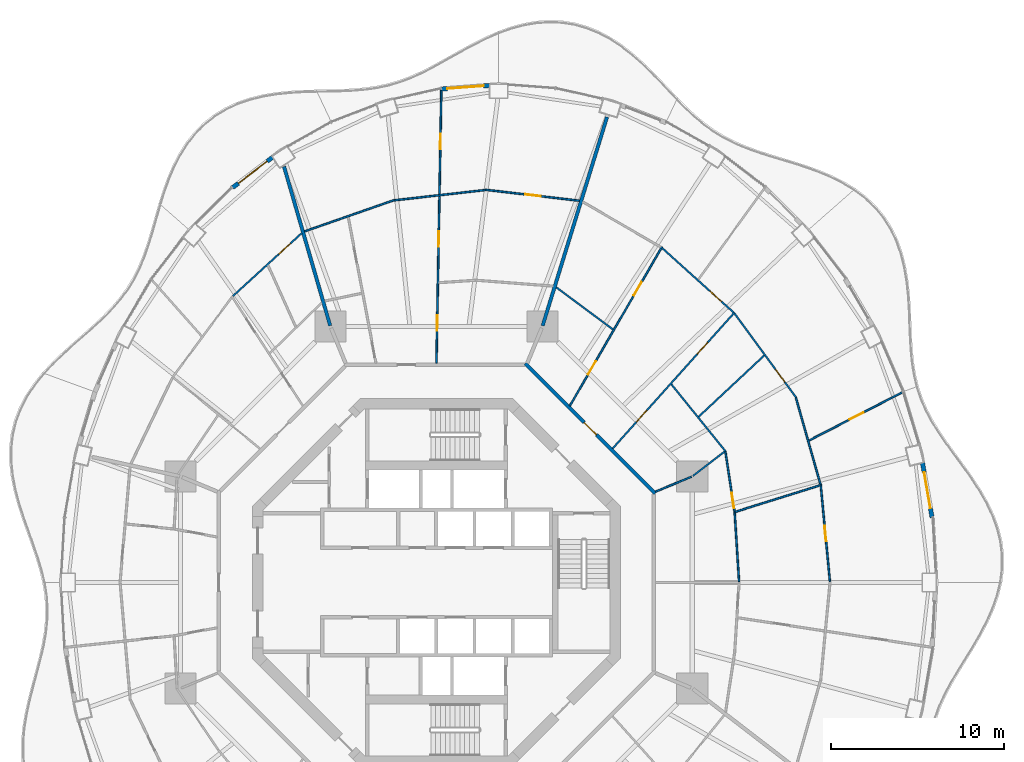
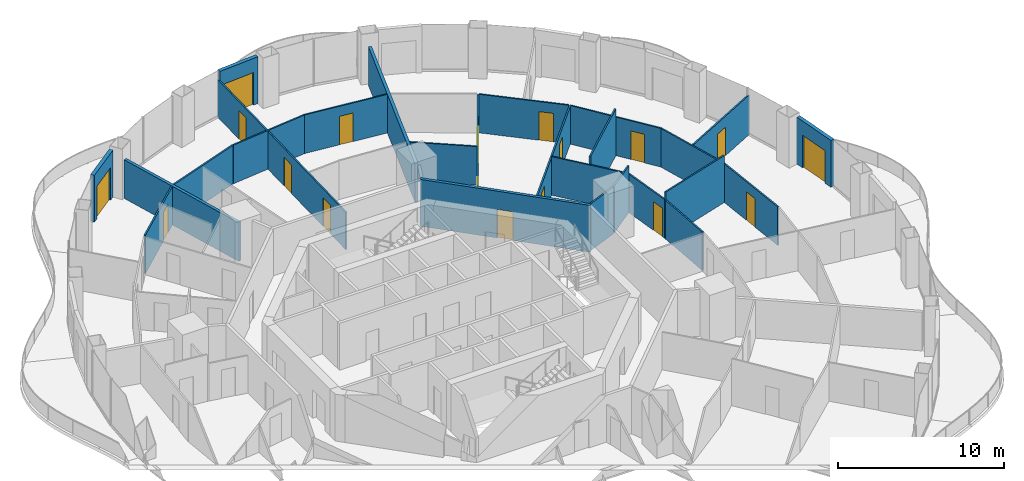
# One storey, part 15 of 19: 26 walls, 18 doors, 18 openings.
"""IFC4 building model written with IfcOpenShell, lengths in metres."""

import ifcopenshell
import ifcopenshell.guid

model = None  # the IFC model being written
_history = None  # IfcOwnerHistory: only IFC2X3 demands one
_inside = {}  # id of a spatial element -> (the spatial element, [elements in it])
_under = {}  # id of a project, library or spatial element -> (it, [spatial elements below it])
_declared = {}  # id of a project -> (the project, [libraries it declares])
_typed = {}  # id of a type object -> (the type object, [elements of that type])
_made_of = {}  # id of a material, layer set ... -> (it, [elements and type objects made of it])


def new_model(schema):
    """Start an empty IFC model of exactly this schema.

    Asked for "IFC4X3", IfcOpenShell would pick the latest addendum, in which some entities
    have other attributes; the version numbers below select the first issue.
    IFC2X3 requires an IfcOwnerHistory on every rooted entity: one is made here for all.
    """
    global model, _history
    if schema == "IFC4X3":
        model = ifcopenshell.file(schema_version=(4, 3, 0, 0))
    else:
        model = ifcopenshell.file(schema=schema)
    _inside.clear()
    _under.clear()
    _declared.clear()
    _typed.clear()
    _made_of.clear()
    _history = None
    if model.schema == "IFC2X3":
        org = make("IfcOrganization", Name="unknown")
        user = make(
            "IfcPersonAndOrganization",
            ThePerson=make("IfcPerson", FamilyName="unknown"),
            TheOrganization=org,
        )
        app = make(
            "IfcApplication",
            ApplicationDeveloper=org,
            Version="unknown",
            ApplicationFullName="unknown",
            ApplicationIdentifier="unknown",
        )
        _history = make(
            "IfcOwnerHistory",
            OwningUser=user,
            OwningApplication=app,
            ChangeAction="ADDED",
            CreationDate=0,
        )
    return model


def make(cls, **values):
    """One entity of the class cls with the attributes given. An attribute that is None is left unset."""
    return model.create_entity(
        cls, **{name: value for name, value in values.items() if value is not None}
    )


def rooted(cls, **values):
    """An entity with a GlobalId (a new one), such as an element, a storey or a relation."""
    return make(cls, GlobalId=ifcopenshell.guid.new(), OwnerHistory=_history, **values)


def si_unit(unit_type, name, prefix=None):
    """IfcSIUnit, for example si_unit("LENGTHUNIT", "METRE", prefix="MILLI")."""
    return make("IfcSIUnit", UnitType=unit_type, Prefix=prefix, Name=name)


def assignment(units):
    """IfcUnitAssignment: the units of a project."""
    return None if units is None else make("IfcUnitAssignment", Units=units)


def point(xyz):
    """IfcCartesianPoint."""
    return None if xyz is None else make("IfcCartesianPoint", Coordinates=xyz)


def direction(xyz):
    """IfcDirection."""
    return None if xyz is None else make("IfcDirection", DirectionRatios=xyz)


def frame(location, z_axis=None, x_axis=None):
    """IfcAxis2Placement3D, a coordinate frame: its origin and axes. An axis left out is left unset."""
    return make(
        "IfcAxis2Placement3D",
        Location=point(location),
        Axis=direction(z_axis),
        RefDirection=direction(x_axis),
    )


def frame_2d(location, x_axis=None):
    """IfcAxis2Placement2D, a coordinate frame in the plane: its origin and x axis."""
    return make(
        "IfcAxis2Placement2D", Location=point(location), RefDirection=direction(x_axis)
    )


def origin():
    """The frame at (0, 0, 0) with its axes left unset."""
    return frame((0.0, 0.0, 0.0))


def place(relative_to, where):
    """IfcLocalPlacement: puts the frame where relative to a parent placement (None: the world)."""
    return make(
        "IfcLocalPlacement", PlacementRelTo=relative_to, RelativePlacement=where
    )


def context(
    kind, dimensions, precision=None, world=None, true_north=None, identifier=None
):
    """IfcGeometricRepresentationContext, for example the 3D "Model" context."""
    return make(
        "IfcGeometricRepresentationContext",
        ContextIdentifier=identifier,
        ContextType=kind,
        CoordinateSpaceDimension=dimensions,
        Precision=precision,
        WorldCoordinateSystem=world,
        TrueNorth=true_north,
    )


def subcontext(parent, identifier, kind, view, scale=None):
    """IfcGeometricRepresentationSubContext, for example "Body" below "Model"."""
    return make(
        "IfcGeometricRepresentationSubContext",
        ContextIdentifier=identifier,
        ContextType=kind,
        ParentContext=parent,
        TargetScale=scale,
        TargetView=view,
    )


def project(units=None, contexts=None):
    """IfcProject with its units and contexts."""
    return rooted(
        "IfcProject",
        Name="project",
        RepresentationContexts=contexts,
        UnitsInContext=assignment(units),
    )


def spatial(cls, under=None, at=None, **own):
    """A site, building, storey or space (cls), placed at a placement, below another one or the project."""
    s = rooted(cls, ObjectPlacement=at, **own)
    if under is not None:
        _under.setdefault(under.id(), (under, []))[1].append(s)
    return s


def profile(cls, at=None, kind="AREA", **sizes):
    """A parametric profile (cls). Its sizes go by their IFC names, for example OverallWidth=200.0."""
    return make(cls, ProfileType=kind, Position=at, **sizes)


def rectangle(**sizes):
    """IfcRectangleProfileDef."""
    return profile("IfcRectangleProfileDef", **sizes)


def extrude(swept, where, along, depth):
    """IfcExtrudedAreaSolid: the profile swept, set in the frame where, extruded along a direction by depth."""
    return make(
        "IfcExtrudedAreaSolid",
        SweptArea=swept,
        Position=where,
        ExtrudedDirection=direction(along),
        Depth=depth,
    )


def shape(context_of_items, identifier, shape_type, items):
    """IfcShapeRepresentation: the items that make up one representation, for example the "Body"."""
    return make(
        "IfcShapeRepresentation",
        ContextOfItems=context_of_items,
        RepresentationIdentifier=identifier,
        RepresentationType=shape_type,
        Items=items,
    )


def material(Name=None, Category=None):
    """IfcMaterial."""
    return make("IfcMaterial", Name=Name, Category=Category)


def layer(
    of_material, thickness, ventilated=None, Name=None, Category=None, Priority=None
):
    """IfcMaterialLayer: one layer of a wall or slab, of a material (None: an air gap)."""
    return make(
        "IfcMaterialLayer",
        Material=of_material,
        LayerThickness=thickness,
        IsVentilated=ventilated,
        Name=Name,
        Category=Category,
        Priority=Priority,
    )


def layer_set(layers, Name=None):
    """IfcMaterialLayerSet."""
    return make("IfcMaterialLayerSet", MaterialLayers=layers, LayerSetName=Name)


def made_of(thing, what):
    """Note that an element or type object is made of a material, layer set ...; save() writes the relation."""
    if what is not None:
        _made_of.setdefault(what.id(), (what, []))[1].append(thing)
    return thing


def type_object(cls, material=None, **own):
    """A type object (cls), such as IfcWallType, which elements share."""
    return made_of(rooted(cls, **own), material)


def element(
    cls,
    number,
    at=None,
    inside=None,
    cuts=None,
    type_object=None,
    material=None,
    context=None,
    identifier="Body",
    shape_type=None,
    held_by="IfcProductDefinitionShape",
    body=None,
    shapes=None,
    **own,
):
    """One element of the class cls, such as IfcWall. Its Tag is "e" and its number.

    at: its placement. inside: the storey or other place that contains it. cuts: it is an
    opening in that element (IfcRelVoidsElement). A single representation is given by context,
    identifier, shape_type and body (its items); several are given by shapes. held_by: the class
    of the entity that holds the representations. save() writes the other relations.
    """
    e = rooted(cls, Tag="e%d" % number, ObjectPlacement=at, **own)
    if body is not None:
        shapes = [shape(context, identifier, shape_type, body)]
    if shapes is not None:
        e.Representation = make(held_by, Representations=shapes)
    if inside is not None:
        _inside.setdefault(inside.id(), (inside, []))[1].append(e)
    if cuts is not None:
        rooted(
            "IfcRelVoidsElement", RelatingBuildingElement=cuts, RelatedOpeningElement=e
        )
    if type_object is not None:
        _typed.setdefault(type_object.id(), (type_object, []))[1].append(e)
    return made_of(e, material)


def fill(opening, filler):
    """IfcRelFillsElement: the door or window that sits in an opening."""
    return rooted(
        "IfcRelFillsElement",
        RelatingOpeningElement=opening,
        RelatedBuildingElement=filler,
    )


def aggregate(whole, parts):
    """IfcRelAggregates: a whole, such as a stair, and the parts it consists of."""
    return rooted("IfcRelAggregates", RelatingObject=whole, RelatedObjects=parts)


def save(model, path):
    """Write the relations noted so far, then the file.

    IfcRelAggregates (storeys below a building ...), IfcRelContainedInSpatialStructure (elements
    in a storey), IfcRelDefinesByType, IfcRelAssociatesMaterial and IfcRelDeclares: one each for
    every whole, place, type object, material and project.
    """
    for whole, parts in _under.values():
        aggregate(whole, parts)
    for where, things in _inside.values():
        rooted(
            "IfcRelContainedInSpatialStructure",
            RelatedElements=things,
            RelatingStructure=where,
        )
    for kind, things in _typed.values():
        rooted("IfcRelDefinesByType", RelatedObjects=things, RelatingType=kind)
    for what, things in _made_of.values():
        rooted("IfcRelAssociatesMaterial", RelatedObjects=things, RelatingMaterial=what)
    for by, libraries in _declared.values():
        rooted("IfcRelDeclares", RelatingContext=by, RelatedDefinitions=libraries)
    model.write(path)


model = new_model("IFC4")

# Units and contexts
model_context = context("Model", 3, precision=1e-05, world=origin(), true_north=direction((0.0, 1.0)))
body_context = subcontext(model_context, "Body", "Model", "MODEL_VIEW")
ifc_project = project(units=[si_unit("LENGTHUNIT", "METRE"), si_unit("AREAUNIT", "SQUARE_METRE"), si_unit("VOLUMEUNIT", "CUBIC_METRE"), si_unit("PLANEANGLEUNIT", "RADIAN"), si_unit("MASSUNIT", "GRAM", prefix="KILO")], contexts=[model_context])

# Site, building, storey
site_placement = place(None, origin())
site = spatial("IfcSite", under=ifc_project, at=site_placement, CompositionType="ELEMENT")
building_placement = place(site_placement, origin())
building = spatial("IfcBuilding", under=site, at=building_placement, Name="Nagisa Residences", CompositionType="ELEMENT")
storey_placement = place(building_placement, frame((0.0, 0.0, 184.39990234375)))
storey = spatial("IfcBuildingStorey", under=building, at=storey_placement, Name="L46", CompositionType="ELEMENT", Elevation=184.39990234375)

# Walls
ifc_material_1 = material(Name="Gypsum board on steel studs", Category="steel")
ifc_layer_1 = layer(ifc_material_1, 0.199951171875)
ifc_layer_set_1 = layer_set([ifc_layer_1], Name="Apartment compartment wall EI60 200")
wall_type_1 = type_object("IfcWallType", Name="Apartment compartment wall EI60 200", PredefinedType="PARTITIONING", material=ifc_layer_set_1)
wall_1_placement = place(storey_placement, frame((6.1376953125, 14.829833984375, 0.0), z_axis=(0.0, 0.0, 1.0), x_axis=(0.294818517221, 0.955553264818, 0.0)))
element("IfcWall", 1, at=wall_1_placement, inside=storey, type_object=wall_type_1, Name="wall:L46:u01", PredefinedType="PARTITIONING", context=body_context, shape_type="SweptSolid", body=[
    extrude(rectangle(XDim=12.619384765625, YDim=0.199951171875, at=frame_2d((6.3095703125, 0.0))), origin(), (0.0, 0.0, 1.0), 2.837158203125),
])
wall_2_placement = place(storey_placement, frame((-6.136962890625, 14.830078125, 0.0), z_axis=(0.0, 0.0, 1.0), x_axis=(-0.278461169897, 0.96044748782, 0.0)))
element("IfcWall", 2, at=wall_2_placement, inside=storey, type_object=wall_type_1, Name="wall:L46:u03", PredefinedType="PARTITIONING", context=body_context, shape_type="SweptSolid", body=[
    extrude(rectangle(XDim=9.5732421875, YDim=0.199951171875, at=frame_2d((4.78662109375, 0.0))), origin(), (0.0, 0.0, 1.0), 2.837158203125),
])

# Wall, opening, door
ifc_material_2 = material(Name="Gypsum board on steel studs", Category="steel")
ifc_layer_2 = layer(ifc_material_2, 0.199951171875)
ifc_layer_set_2 = layer_set([ifc_layer_2], Name="Apartment entry wall EI60 200")
wall_type_2 = type_object("IfcWallType", Name="Apartment entry wall EI60 200", PredefinedType="PARTITIONING", material=ifc_layer_set_2)
wall_3_placement = place(storey_placement, frame((12.635498046875, 5.1337890625, 0.0), z_axis=(0.0, 0.0, 1.0), x_axis=(-0.707106781187, 0.707106781187, 0.0)))
wall_3 = element("IfcWall", 3, at=wall_3_placement, inside=storey, type_object=wall_type_2, Name="wall:L46:u11", PredefinedType="PARTITIONING", context=body_context, shape_type="SweptSolid", body=[
    extrude(rectangle(XDim=10.609130859375, YDim=0.199951171875, at=frame_2d((5.3046875, 0.0))), origin(), (0.0, 0.0, 1.0), 3.440185546875),
])
opening_1_placement = place(wall_3_placement, frame((4.804443359375, 0.0, 0.0)))
opening_1 = element("IfcOpeningElement", 4, at=opening_1_placement, cuts=wall_3, Name="Opening L46-U33", PredefinedType="OPENING", context=body_context, shape_type="SweptSolid", body=[
    extrude(rectangle(XDim=1.0, YDim=2.10009765625, at=frame_2d((0.5, 1.050048828125))), frame((0.0, 0.10986328125, 0.0), z_axis=(0.0, -1.0, 0.0), x_axis=(1.0, 0.0, 0.0)), (0.0, 0.0, 1.0), 0.219970703125),
])
ifc_material_3 = material(Name="Timber fire door set", Category="wood")
door_type_1 = type_object("IfcDoorType", Name="Apartment entry door FD30S 1000x2100", OperationType="NOTDEFINED", PredefinedType="DOOR", material=ifc_material_3)
door_1_placement = place(opening_1_placement, frame((1.0, 0.0, 0.0), x_axis=(-1.0, 0.0, 0.0)))
door_1 = element("IfcDoor", 5, at=door_1_placement, inside=storey, type_object=door_type_1, Name="Entry door, Apartment 46D", OperationType="SINGLE_SWING_RIGHT", OverallHeight=2.10009765625, OverallWidth=1.0, PredefinedType="DOOR", context=body_context, shape_type="SweptSolid", body=[
    extrude(rectangle(XDim=1.0, YDim=2.10009765625, at=frame_2d((0.5, 1.050048828125))), frame((0.0, 0.02490234375, 0.0), z_axis=(0.0, -1.0, 0.0), x_axis=(1.0, 0.0, 0.0)), (0.0, 0.0, 1.0), 0.050048828125),
])
fill(opening_1, door_1)

# Wall
ifc_material_4 = material(Name="Gypsum board on steel studs", Category="steel")
ifc_layer_3 = layer(ifc_material_4, 0.10009765625)
ifc_layer_set_3 = layer_set([ifc_layer_3], Name="Apartment partition 100")
wall_type_3 = type_object("IfcWallType", Name="Apartment partition 100", PredefinedType="PARTITIONING", material=ifc_layer_set_3)
wall_4_placement = place(storey_placement, frame((17.484619140625, 0.0498046875, 0.0), z_axis=(0.0, 0.0, 1.0), x_axis=(-0.063679314345, 0.99797041285, 0.0)))
element("IfcWall", 6, at=wall_4_placement, inside=storey, type_object=wall_type_3, Name="wall:L46:u19", PredefinedType="PARTITIONING", context=body_context, shape_type="SweptSolid", body=[
    extrude(rectangle(XDim=3.971923828125, YDim=0.10009765625, at=frame_2d((1.98583984375, 0.0))), origin(), (0.0, 0.0, 1.0), 2.837158203125),
])

# Wall, opening, door
wall_5_placement = place(storey_placement, frame((22.734375, 0.0498046875, 0.0), z_axis=(0.0, 0.0, 1.0), x_axis=(-0.0949274088, 0.995484197292, 0.0)))
wall_5 = element("IfcWall", 7, at=wall_5_placement, inside=storey, type_object=wall_type_3, Name="wall:L46:u21", PredefinedType="PARTITIONING", context=body_context, shape_type="SweptSolid", body=[
    extrude(rectangle(XDim=5.647705078125, YDim=0.10009765625, at=frame_2d((2.82373046875, 0.0))), origin(), (0.0, 0.0, 1.0), 2.837158203125),
])
opening_2_placement = place(wall_5_placement, frame((2.348876953125, 0.0, 0.0)))
opening_2 = element("IfcOpeningElement", 8, at=opening_2_placement, cuts=wall_5, Name="Opening L46-U43", PredefinedType="OPENING", context=body_context, shape_type="SweptSolid", body=[
    extrude(rectangle(XDim=0.89990234375, YDim=2.10009765625, at=frame_2d((0.449951171875, 1.050048828125))), frame((0.0, 0.06005859375, 0.0), z_axis=(0.0, -1.0, 0.0), x_axis=(1.0, 0.0, 0.0)), (0.0, 0.0, 1.0), 0.1201171875),
])
ifc_material_5 = material(Name="Timber door set", Category="wood")
door_type_2 = type_object("IfcDoorType", Name="Apartment door 900x2100", OperationType="NOTDEFINED", PredefinedType="DOOR", material=ifc_material_5)
door_2_placement = place(opening_2_placement, origin())
door_2 = element("IfcDoor", 9, at=door_2_placement, inside=storey, type_object=door_type_2, Name="Door to study, Apartment 46D", OperationType="SINGLE_SWING_LEFT", OverallHeight=2.10009765625, OverallWidth=0.89990234375, PredefinedType="DOOR", context=body_context, shape_type="SweptSolid", body=[
    extrude(rectangle(XDim=0.89990234375, YDim=2.10009765625, at=frame_2d((0.449951171875, 1.050048828125))), frame((0.0, 0.02490234375, 0.0), z_axis=(0.0, -1.0, 0.0), x_axis=(1.0, 0.0, 0.0)), (0.0, 0.0, 1.0), 0.050048828125),
])
fill(opening_2, door_2)

# Wall
wall_6_placement = place(storey_placement, frame((17.1806640625, 4.048583984375, 0.0), z_axis=(0.0, 0.0, 1.0), x_axis=(0.954246359918, 0.299021545351, 0.0)))
element("IfcWall", 10, at=wall_6_placement, inside=storey, type_object=wall_type_3, Name="wall:L46:u23", PredefinedType="PARTITIONING", context=body_context, shape_type="SweptSolid", body=[
    extrude(rectangle(XDim=5.213134765625, YDim=0.10009765625, at=frame_2d((2.6064453125, 0.0))), origin(), (0.0, 0.0, 1.0), 3.440185546875),
])

# Wall, opening, door
wall_7_placement = place(storey_placement, frame((17.220947265625, 4.113037109375, 0.0), z_axis=(0.0, 0.0, 1.0), x_axis=(-0.151078880423, 0.988521710379, 0.0)))
wall_7 = element("IfcWall", 11, at=wall_7_placement, inside=storey, type_object=wall_type_3, Name="wall:L46:u24", PredefinedType="PARTITIONING", context=body_context, shape_type="SweptSolid", body=[
    extrude(rectangle(XDim=3.469482421875, YDim=0.10009765625, at=frame_2d((1.73486328125, 0.0))), origin(), (0.0, 0.0, 1.0), 2.837158203125),
])
opening_3_placement = place(wall_7_placement, frame((0.179931640625, 0.0, 0.0)))
opening_3 = element("IfcOpeningElement", 12, at=opening_3_placement, cuts=wall_7, Name="Opening L46-U42", PredefinedType="OPENING", context=body_context, shape_type="SweptSolid", body=[
    extrude(rectangle(XDim=0.89990234375, YDim=2.10009765625, at=frame_2d((0.449951171875, 1.050048828125))), frame((0.0, 0.06005859375, 0.0), z_axis=(0.0, -1.0, 0.0), x_axis=(1.0, 0.0, 0.0)), (0.0, 0.0, 1.0), 0.1201171875),
])
door_3_placement = place(opening_3_placement, origin())
door_3 = element("IfcDoor", 13, at=door_3_placement, inside=storey, type_object=door_type_2, Name="Door to store, Apartment 46D", OperationType="SINGLE_SWING_RIGHT", OverallHeight=2.10009765625, OverallWidth=0.89990234375, PredefinedType="DOOR", context=body_context, shape_type="SweptSolid", body=[
    extrude(rectangle(XDim=0.89990234375, YDim=2.10009765625, at=frame_2d((0.449951171875, 1.050048828125))), frame((0.0, 0.02490234375, 0.0), z_axis=(0.0, -1.0, 0.0), x_axis=(1.0, 0.0, 0.0)), (0.0, 0.0, 1.0), 0.050048828125),
])
fill(opening_3, door_3)

# Wall
wall_8_placement = place(storey_placement, frame((22.189453125, 5.67041015625, 0.0), z_axis=(0.0, 0.0, 1.0), x_axis=(-0.273815967041, 0.961782104322, 0.0)))
element("IfcWall", 14, at=wall_8_placement, inside=storey, type_object=wall_type_3, Name="wall:L46:u25", PredefinedType="PARTITIONING", context=body_context, shape_type="SweptSolid", body=[
    extrude(rectangle(XDim=5.20166015625, YDim=0.10009765625, at=frame_2d((2.600830078125, 0.0))), origin(), (0.0, 0.0, 1.0), 2.837158203125),
])

# Wall, opening, door
wall_9_placement = place(storey_placement, frame((21.521728515625, 8.19482421875, 0.0), z_axis=(0.0, 0.0, 1.0), x_axis=(0.888281046031, 0.459300319249, 0.0)))
wall_9 = element("IfcWall", 15, at=wall_9_placement, inside=storey, type_object=wall_type_3, Name="wall:L46:u26", PredefinedType="PARTITIONING", context=body_context, shape_type="SweptSolid", body=[
    extrude(rectangle(XDim=6.176025390625, YDim=0.10009765625, at=frame_2d((3.087890625, 0.0))), origin(), (0.0, 0.0, 1.0), 2.905029296875),
])
opening_4_placement = place(wall_9_placement, frame((2.63818359375, 0.0, 0.0)))
opening_4 = element("IfcOpeningElement", 16, at=opening_4_placement, cuts=wall_9, Name="Opening L46-U41", PredefinedType="OPENING", context=body_context, shape_type="SweptSolid", body=[
    extrude(rectangle(XDim=0.89990234375, YDim=2.10009765625, at=frame_2d((0.449951171875, 1.050048828125))), frame((0.0, 0.06005859375, 0.0), z_axis=(0.0, -1.0, 0.0), x_axis=(1.0, 0.0, 0.0)), (0.0, 0.0, 1.0), 0.1201171875),
])
door_4_placement = place(opening_4_placement, frame((0.89990234375, 0.0, 0.0), x_axis=(-1.0, 0.0, 0.0)))
door_4 = element("IfcDoor", 17, at=door_4_placement, inside=storey, type_object=door_type_2, Name="Door to family room, Apartment 46D", OperationType="SINGLE_SWING_RIGHT", OverallHeight=2.10009765625, OverallWidth=0.89990234375, PredefinedType="DOOR", context=body_context, shape_type="SweptSolid", body=[
    extrude(rectangle(XDim=0.89990234375, YDim=2.10009765625, at=frame_2d((0.449951171875, 1.050048828125))), frame((0.0, 0.02490234375, 0.0), z_axis=(0.0, -1.0, 0.0), x_axis=(1.0, 0.0, 0.0)), (0.0, 0.0, 1.0), 0.050048828125),
])
fill(opening_4, door_4)

# Walls
wall_10_placement = place(storey_placement, frame((12.6572265625, 5.24267578125, 0.0), z_axis=(0.0, 0.0, 1.0), x_axis=(0.923826362943, 0.382811769845, 0.0)))
element("IfcWall", 18, at=wall_10_placement, inside=storey, type_object=wall_type_3, Name="wall:L46:u27", PredefinedType="PARTITIONING", context=body_context, shape_type="SweptSolid", body=[
    extrude(rectangle(XDim=2.25, YDim=0.10009765625, at=frame_2d((1.125, 0.0))), origin(), (0.0, 0.0, 1.0), 3.440185546875),
])
wall_11_placement = place(storey_placement, frame((14.82177734375, 6.153564453125, 0.0), z_axis=(0.0, 0.0, 1.0), x_axis=(0.792226528082, 0.610227111987, 0.0)))
element("IfcWall", 19, at=wall_11_placement, inside=storey, type_object=wall_type_3, Name="wall:L46:u28", PredefinedType="PARTITIONING", context=body_context, shape_type="SweptSolid", body=[
    extrude(rectangle(XDim=2.307373046875, YDim=0.10009765625, at=frame_2d((1.15380859375, 0.0))), origin(), (0.0, 0.0, 1.0), 3.440185546875),
])
wall_12_placement = place(storey_placement, frame((16.720703125, 7.55322265625, 0.0), z_axis=(0.0, 0.0, 1.0), x_axis=(-0.628753513808, 0.777604667472, 0.0)))
element("IfcWall", 20, at=wall_12_placement, inside=storey, type_object=wall_type_3, Name="wall:L46:u29", PredefinedType="PARTITIONING", context=body_context, shape_type="SweptSolid", body=[
    extrude(rectangle(XDim=5.00732421875, YDim=0.10009765625, at=frame_2d((2.503662109375, 0.0))), origin(), (0.0, 0.0, 1.0), 2.837158203125),
])

# Wall, opening, door
wall_13_placement = place(storey_placement, frame((20.781005859375, 10.68115234375, 0.0), z_axis=(0.0, 0.0, 1.0), x_axis=(-0.591117075283, 0.806585769345, 0.0)))
wall_13 = element("IfcWall", 21, at=wall_13_placement, inside=storey, type_object=wall_type_3, Name="wall:L46:u30", PredefinedType="PARTITIONING", context=body_context, shape_type="SweptSolid", body=[
    extrude(rectangle(XDim=6.009765625, YDim=0.10009765625, at=frame_2d((3.0048828125, 0.0))), origin(), (0.0, 0.0, 1.0), 2.837158203125),
])
opening_5_placement = place(wall_13_placement, frame((1.1025390625, 0.0, 0.0)))
opening_5 = element("IfcOpeningElement", 22, at=opening_5_placement, cuts=wall_13, Name="Opening L46-U40", PredefinedType="OPENING", context=body_context, shape_type="SweptSolid", body=[
    extrude(rectangle(XDim=0.89990234375, YDim=2.10009765625, at=frame_2d((0.449951171875, 1.050048828125))), frame((0.0, 0.06005859375, 0.0), z_axis=(0.0, -1.0, 0.0), x_axis=(1.0, 0.0, 0.0)), (0.0, 0.0, 1.0), 0.1201171875),
])
door_5_placement = place(opening_5_placement, origin())
door_5 = element("IfcDoor", 23, at=door_5_placement, inside=storey, type_object=door_type_2, Name="Door to kitchen, Apartment 46D", OperationType="SINGLE_SWING_RIGHT", OverallHeight=2.10009765625, OverallWidth=0.89990234375, PredefinedType="DOOR", context=body_context, shape_type="SweptSolid", body=[
    extrude(rectangle(XDim=0.89990234375, YDim=2.10009765625, at=frame_2d((0.449951171875, 1.050048828125))), frame((0.0, 0.02490234375, 0.0), z_axis=(0.0, -1.0, 0.0), x_axis=(1.0, 0.0, 0.0)), (0.0, 0.0, 1.0), 0.050048828125),
])
fill(opening_5, door_5)

# Wall
wall_14_placement = place(storey_placement, frame((15.151611328125, 9.572998046875, 0.0), z_axis=(0.0, 0.0, 1.0), x_axis=(0.730723083214, 0.682673989294, 0.0)))
element("IfcWall", 24, at=wall_14_placement, inside=storey, type_object=wall_type_3, Name="wall:L46:u31", PredefinedType="PARTITIONING", context=body_context, shape_type="SweptSolid", body=[
    extrude(rectangle(XDim=5.1826171875, YDim=0.10009765625, at=frame_2d((2.59130859375, 0.0))), origin(), (0.0, 0.0, 1.0), 3.440185546875),
])

# Wall, openings, doors
wall_15_placement = place(storey_placement, frame((10.177978515625, 7.732421875, 0.0), z_axis=(0.0, 0.0, 1.0), x_axis=(0.667280084362, 0.744806880348, 0.0)))
wall_15 = element("IfcWall", 25, at=wall_15_placement, inside=storey, type_object=wall_type_3, Name="wall:L46:u32", PredefinedType="PARTITIONING", context=body_context, shape_type="SweptSolid", body=[
    extrude(rectangle(XDim=10.571533203125, YDim=0.10009765625, at=frame_2d((5.28564453125, 0.0))), origin(), (0.0, 0.0, 1.0), 2.756103515625),
])
opening_6_placement = place(wall_15_placement, frame((2.069580078125, 0.0, 0.0)))
opening_6 = element("IfcOpeningElement", 26, at=opening_6_placement, cuts=wall_15, Name="Opening L46-U34", PredefinedType="OPENING", context=body_context, shape_type="SweptSolid", body=[
    extrude(rectangle(XDim=0.89990234375, YDim=2.10009765625, at=frame_2d((0.449951171875, 1.050048828125))), frame((0.0, 0.06005859375, 0.0), z_axis=(0.0, -1.0, 0.0), x_axis=(1.0, 0.0, 0.0)), (0.0, 0.0, 1.0), 0.1201171875),
])
opening_7_placement = place(wall_15_placement, frame((7.33056640625, 0.0, 0.0)))
opening_7 = element("IfcOpeningElement", 27, at=opening_7_placement, cuts=wall_15, Name="Opening L46-U36", PredefinedType="OPENING", context=body_context, shape_type="SweptSolid", body=[
    extrude(rectangle(XDim=0.89990234375, YDim=2.10009765625, at=frame_2d((0.449951171875, 1.050048828125))), frame((0.0, 0.06005859375, 0.0), z_axis=(0.0, -1.0, 0.0), x_axis=(1.0, 0.0, 0.0)), (0.0, 0.0, 1.0), 0.1201171875),
])
door_6_placement = place(opening_6_placement, frame((0.89990234375, 0.0, 0.0), x_axis=(-1.0, 0.0, 0.0)))
door_6 = element("IfcDoor", 28, at=door_6_placement, inside=storey, type_object=door_type_2, Name="Door to family bathroom, Apartment 46D", OperationType="SINGLE_SWING_LEFT", OverallHeight=2.10009765625, OverallWidth=0.89990234375, PredefinedType="DOOR", context=body_context, shape_type="SweptSolid", body=[
    extrude(rectangle(XDim=0.89990234375, YDim=2.10009765625, at=frame_2d((0.449951171875, 1.050048828125))), frame((0.0, 0.02490234375, 0.0), z_axis=(0.0, -1.0, 0.0), x_axis=(1.0, 0.0, 0.0)), (0.0, 0.0, 1.0), 0.050048828125),
])
fill(opening_6, door_6)
door_7_placement = place(opening_7_placement, frame((0.89990234375, 0.0, 0.0), x_axis=(-1.0, 0.0, 0.0)))
door_7 = element("IfcDoor", 29, at=door_7_placement, inside=storey, type_object=door_type_2, Name="Door to family bathroom, Apartment 46D", OperationType="SINGLE_SWING_LEFT", OverallHeight=2.10009765625, OverallWidth=0.89990234375, PredefinedType="DOOR", context=body_context, shape_type="SweptSolid", body=[
    extrude(rectangle(XDim=0.89990234375, YDim=2.10009765625, at=frame_2d((0.449951171875, 1.050048828125))), frame((0.0, 0.02490234375, 0.0), z_axis=(0.0, -1.0, 0.0), x_axis=(1.0, 0.0, 0.0)), (0.0, 0.0, 1.0), 0.050048828125),
])
fill(opening_7, door_7)

# Wall, opening, door
wall_16_placement = place(storey_placement, frame((17.16162109375, 15.6025390625, 0.0), z_axis=(0.0, 0.0, 1.0), x_axis=(-0.742790086539, 0.66952437397, 0.0)))
wall_16 = element("IfcWall", 30, at=wall_16_placement, inside=storey, type_object=wall_type_3, Name="wall:L46:u33", PredefinedType="PARTITIONING", context=body_context, shape_type="SweptSolid", body=[
    extrude(rectangle(XDim=5.54150390625, YDim=0.10009765625, at=frame_2d((2.770751953125, 0.0))), origin(), (0.0, 0.0, 1.0), 2.837158203125),
])
opening_8_placement = place(wall_16_placement, frame((0.935302734375, 0.0, 0.0)))
opening_8 = element("IfcOpeningElement", 31, at=opening_8_placement, cuts=wall_16, Name="Opening L46-U38", PredefinedType="OPENING", context=body_context, shape_type="SweptSolid", body=[
    extrude(rectangle(XDim=0.89990234375, YDim=2.10009765625, at=frame_2d((0.449951171875, 1.050048828125))), frame((0.0, 0.06005859375, 0.0), z_axis=(0.0, -1.0, 0.0), x_axis=(1.0, 0.0, 0.0)), (0.0, 0.0, 1.0), 0.1201171875),
])
door_8_placement = place(opening_8_placement, frame((0.89990234375, 0.0, 0.0), x_axis=(-1.0, 0.0, 0.0)))
door_8 = element("IfcDoor", 32, at=door_8_placement, inside=storey, type_object=door_type_2, Name="Door to living room, Apartment 46D", OperationType="SINGLE_SWING_LEFT", OverallHeight=2.10009765625, OverallWidth=0.89990234375, PredefinedType="DOOR", context=body_context, shape_type="SweptSolid", body=[
    extrude(rectangle(XDim=0.89990234375, YDim=2.10009765625, at=frame_2d((0.449951171875, 1.050048828125))), frame((0.0, 0.02490234375, 0.0), z_axis=(0.0, -1.0, 0.0), x_axis=(1.0, 0.0, 0.0)), (0.0, 0.0, 1.0), 0.050048828125),
])
fill(opening_8, door_8)

# Wall, openings, doors
wall_17_placement = place(storey_placement, frame((7.7080078125, 10.19775390625, 0.0), z_axis=(0.0, 0.0, 1.0), x_axis=(0.501288100085, 0.865280440501, 0.0)))
wall_17 = element("IfcWall", 33, at=wall_17_placement, inside=storey, type_object=wall_type_3, Name="wall:L46:u35", PredefinedType="PARTITIONING", context=body_context, shape_type="SweptSolid", body=[
    extrude(rectangle(XDim=10.623046875, YDim=0.10009765625, at=frame_2d((5.3115234375, 0.0))), origin(), (0.0, 0.0, 1.0), 2.756103515625),
])
opening_9_placement = place(wall_17_placement, frame((2.082275390625, 0.0, 0.0)))
opening_9 = element("IfcOpeningElement", 34, at=opening_9_placement, cuts=wall_17, Name="Opening L46-U35", PredefinedType="OPENING", context=body_context, shape_type="SweptSolid", body=[
    extrude(rectangle(XDim=0.89990234375, YDim=2.10009765625, at=frame_2d((0.449951171875, 1.050048828125))), frame((0.0, 0.06005859375, 0.0), z_axis=(0.0, -1.0, 0.0), x_axis=(1.0, 0.0, 0.0)), (0.0, 0.0, 1.0), 0.1201171875),
])
opening_10_placement = place(wall_17_placement, frame((7.36865234375, 0.0, 0.0)))
opening_10 = element("IfcOpeningElement", 35, at=opening_10_placement, cuts=wall_17, Name="Opening L46-U37", PredefinedType="OPENING", context=body_context, shape_type="SweptSolid", body=[
    extrude(rectangle(XDim=0.89990234375, YDim=2.10009765625, at=frame_2d((0.449951171875, 1.050048828125))), frame((0.0, 0.06005859375, 0.0), z_axis=(0.0, -1.0, 0.0), x_axis=(1.0, 0.0, 0.0)), (0.0, 0.0, 1.0), 0.1201171875),
])
door_9_placement = place(opening_9_placement, origin())
door_9 = element("IfcDoor", 36, at=door_9_placement, inside=storey, type_object=door_type_2, Name="Door to laundry, Apartment 46D", OperationType="SINGLE_SWING_LEFT", OverallHeight=2.10009765625, OverallWidth=0.89990234375, PredefinedType="DOOR", context=body_context, shape_type="SweptSolid", body=[
    extrude(rectangle(XDim=0.89990234375, YDim=2.10009765625, at=frame_2d((0.449951171875, 1.050048828125))), frame((0.0, 0.02490234375, 0.0), z_axis=(0.0, -1.0, 0.0), x_axis=(1.0, 0.0, 0.0)), (0.0, 0.0, 1.0), 0.050048828125),
])
fill(opening_9, door_9)
door_10_placement = place(opening_10_placement, origin())
door_10 = element("IfcDoor", 37, at=door_10_placement, inside=storey, type_object=door_type_2, Name="Door to kitchen, Apartment 46D", OperationType="SINGLE_SWING_LEFT", OverallHeight=2.10009765625, OverallWidth=0.89990234375, PredefinedType="DOOR", context=body_context, shape_type="SweptSolid", body=[
    extrude(rectangle(XDim=0.89990234375, YDim=2.10009765625, at=frame_2d((0.449951171875, 1.050048828125))), frame((0.0, 0.02490234375, 0.0), z_axis=(0.0, -1.0, 0.0), x_axis=(1.0, 0.0, 0.0)), (0.0, 0.0, 1.0), 0.050048828125),
])
fill(opening_10, door_10)

# Wall
wall_18_placement = place(storey_placement, frame((10.20654296875, 14.609619140625, 0.0), z_axis=(0.0, 0.0, 1.0), x_axis=(-0.802769141821, 0.596289950394, 0.0)))
element("IfcWall", 38, at=wall_18_placement, inside=storey, type_object=wall_type_3, Name="wall:L46:u36", PredefinedType="PARTITIONING", context=body_context, shape_type="SweptSolid", body=[
    extrude(rectangle(XDim=4.09228515625, YDim=0.10009765625, at=frame_2d((2.046142578125, 0.0))), origin(), (0.0, 0.0, 1.0), 2.837158203125),
])

# Wall, opening, door
wall_19_placement = place(storey_placement, frame((8.262451171875, 22.0498046875, 0.0), z_axis=(0.0, 0.0, 1.0), x_axis=(-0.993250089265, 0.115992500516, 0.0)))
wall_19 = element("IfcWall", 39, at=wall_19_placement, inside=storey, type_object=wall_type_3, Name="wall:L46:u39", PredefinedType="PARTITIONING", context=body_context, shape_type="SweptSolid", body=[
    extrude(rectangle(XDim=5.457763671875, YDim=0.10009765625, at=frame_2d((2.72900390625, 0.0))), origin(), (0.0, 0.0, 1.0), 2.837158203125),
])
opening_11_placement = place(wall_19_placement, frame((2.25390625, 0.0, 0.0)))
opening_11 = element("IfcOpeningElement", 40, at=opening_11_placement, cuts=wall_19, Name="Opening L46-U52", PredefinedType="OPENING", context=body_context, shape_type="SweptSolid", body=[
    extrude(rectangle(XDim=0.89990234375, YDim=2.10009765625, at=frame_2d((0.449951171875, 1.050048828125))), frame((0.0, 0.06005859375, 0.0), z_axis=(0.0, -1.0, 0.0), x_axis=(1.0, 0.0, 0.0)), (0.0, 0.0, 1.0), 0.1201171875),
])
door_11_placement = place(opening_11_placement, frame((0.89990234375, 0.0, 0.0), x_axis=(-1.0, 0.0, 0.0)))
door_11 = element("IfcDoor", 41, at=door_11_placement, inside=storey, type_object=door_type_2, Name="Door to family room, Apartment 46E", OperationType="SINGLE_SWING_LEFT", OverallHeight=2.10009765625, OverallWidth=0.89990234375, PredefinedType="DOOR", context=body_context, shape_type="SweptSolid", body=[
    extrude(rectangle(XDim=0.89990234375, YDim=2.10009765625, at=frame_2d((0.449951171875, 1.050048828125))), frame((0.0, 0.02490234375, 0.0), z_axis=(0.0, -1.0, 0.0), x_axis=(1.0, 0.0, 0.0)), (0.0, 0.0, 1.0), 0.050048828125),
])
fill(opening_11, door_11)

# Wall
wall_20_placement = place(storey_placement, frame((2.841552734375, 22.67138671875, 0.0), z_axis=(0.0, 0.0, 1.0), x_axis=(-0.993660315081, -0.112424099879, 0.0)))
element("IfcWall", 42, at=wall_20_placement, inside=storey, type_object=wall_type_3, Name="wall:L46:u41", PredefinedType="PARTITIONING", context=body_context, shape_type="SweptSolid", body=[
    extrude(rectangle(XDim=5.32470703125, YDim=0.10009765625, at=frame_2d((2.662353515625, 0.0))), origin(), (0.0, 0.0, 1.0), 2.837158203125),
])

# Wall, openings, doors
wall_21_placement = place(storey_placement, frame((0.001708984375, 12.664794921875, 0.0), z_axis=(0.0, 0.0, 1.0), x_axis=(0.01792079652, 0.999839409631, 0.0)))
wall_21 = element("IfcWall", 43, at=wall_21_placement, inside=storey, type_object=wall_type_3, Name="wall:L46:u42", PredefinedType="PARTITIONING", context=body_context, shape_type="SweptSolid", body=[
    extrude(rectangle(XDim=15.925537109375, YDim=0.10009765625, at=frame_2d((7.962890625, 0.0))), origin(), (0.0, 0.0, 1.0), 2.756103515625),
])
opening_12_placement = place(wall_21_placement, frame((1.873291015625, 0.0, 0.0)))
opening_12 = element("IfcOpeningElement", 44, at=opening_12_placement, cuts=wall_21, Name="Opening L46-U48", PredefinedType="OPENING", context=body_context, shape_type="SweptSolid", body=[
    extrude(rectangle(XDim=0.89990234375, YDim=2.10009765625, at=frame_2d((0.449951171875, 1.050048828125))), frame((0.0, 0.06005859375, 0.0), z_axis=(0.0, -1.0, 0.0), x_axis=(1.0, 0.0, 0.0)), (0.0, 0.0, 1.0), 0.1201171875),
])
opening_13_placement = place(wall_21_placement, frame((6.727783203125, 0.0, 0.0)))
opening_13 = element("IfcOpeningElement", 45, at=opening_13_placement, cuts=wall_21, Name="Opening L46-U50", PredefinedType="OPENING", context=body_context, shape_type="SweptSolid", body=[
    extrude(rectangle(XDim=0.89990234375, YDim=2.10009765625, at=frame_2d((0.449951171875, 1.050048828125))), frame((0.0, 0.06005859375, 0.0), z_axis=(0.0, -1.0, 0.0), x_axis=(1.0, 0.0, 0.0)), (0.0, 0.0, 1.0), 0.1201171875),
])
opening_14_placement = place(wall_21_placement, frame((12.367431640625, 0.0, 0.0)))
opening_14 = element("IfcOpeningElement", 46, at=opening_14_placement, cuts=wall_21, Name="Opening L46-U53", PredefinedType="OPENING", context=body_context, shape_type="SweptSolid", body=[
    extrude(rectangle(XDim=0.89990234375, YDim=2.10009765625, at=frame_2d((0.449951171875, 1.050048828125))), frame((0.0, 0.06005859375, 0.0), z_axis=(0.0, -1.0, 0.0), x_axis=(1.0, 0.0, 0.0)), (0.0, 0.0, 1.0), 0.1201171875),
])
door_12_placement = place(opening_12_placement, frame((0.89990234375, 0.0, 0.0), x_axis=(-1.0, 0.0, 0.0)))
door_12 = element("IfcDoor", 47, at=door_12_placement, inside=storey, type_object=door_type_2, Name="Door to store, Apartment 46E", OperationType="SINGLE_SWING_LEFT", OverallHeight=2.10009765625, OverallWidth=0.89990234375, PredefinedType="DOOR", context=body_context, shape_type="SweptSolid", body=[
    extrude(rectangle(XDim=0.89990234375, YDim=2.10009765625, at=frame_2d((0.449951171875, 1.050048828125))), frame((0.0, 0.02490234375, 0.0), z_axis=(0.0, -1.0, 0.0), x_axis=(1.0, 0.0, 0.0)), (0.0, 0.0, 1.0), 0.050048828125),
])
fill(opening_12, door_12)
door_13_placement = place(opening_13_placement, frame((0.89990234375, 0.0, 0.0), x_axis=(-1.0, 0.0, 0.0)))
door_13 = element("IfcDoor", 48, at=door_13_placement, inside=storey, type_object=door_type_2, Name="Door to kitchen, Apartment 46E", OperationType="SINGLE_SWING_LEFT", OverallHeight=2.10009765625, OverallWidth=0.89990234375, PredefinedType="DOOR", context=body_context, shape_type="SweptSolid", body=[
    extrude(rectangle(XDim=0.89990234375, YDim=2.10009765625, at=frame_2d((0.449951171875, 1.050048828125))), frame((0.0, 0.02490234375, 0.0), z_axis=(0.0, -1.0, 0.0), x_axis=(1.0, 0.0, 0.0)), (0.0, 0.0, 1.0), 0.050048828125),
])
fill(opening_13, door_13)
door_14_placement = place(opening_14_placement, origin())
door_14 = element("IfcDoor", 49, at=door_14_placement, inside=storey, type_object=door_type_2, Name="Door to master bedroom, Apartment 46E", OperationType="SINGLE_SWING_LEFT", OverallHeight=2.10009765625, OverallWidth=0.89990234375, PredefinedType="DOOR", context=body_context, shape_type="SweptSolid", body=[
    extrude(rectangle(XDim=0.89990234375, YDim=2.10009765625, at=frame_2d((0.449951171875, 1.050048828125))), frame((0.0, 0.02490234375, 0.0), z_axis=(0.0, -1.0, 0.0), x_axis=(1.0, 0.0, 0.0)), (0.0, 0.0, 1.0), 0.050048828125),
])
fill(opening_14, door_14)

# Wall
wall_22_placement = place(storey_placement, frame((-2.451904296875, 22.08349609375, 0.0), z_axis=(0.0, 0.0, 1.0), x_axis=(-0.943918212431, -0.330179357684, 0.0)))
element("IfcWall", 50, at=wall_22_placement, inside=storey, type_object=wall_type_3, Name="wall:L46:u43", PredefinedType="PARTITIONING", context=body_context, shape_type="SweptSolid", body=[
    extrude(rectangle(XDim=5.46728515625, YDim=0.10009765625, at=frame_2d((2.733642578125, 0.0))), origin(), (0.0, 0.0, 1.0), 2.837158203125),
])

# Wall, opening, door
wall_23_placement = place(storey_placement, frame((-7.78076171875, 20.177734375, 0.0), z_axis=(0.0, 0.0, 1.0), x_axis=(-0.73807320557, -0.674720640872, 0.0)))
wall_23 = element("IfcWall", 51, at=wall_23_placement, inside=storey, type_object=wall_type_3, Name="wall:L46:u47", PredefinedType="PARTITIONING", context=body_context, shape_type="SweptSolid", body=[
    extrude(rectangle(XDim=5.39892578125, YDim=0.10009765625, at=frame_2d((2.699462890625, 0.0))), origin(), (0.0, 0.0, 1.0), 2.837158203125),
])
opening_15_placement = place(wall_23_placement, frame((0.88720703125, 0.0, 0.0)))
opening_15 = element("IfcOpeningElement", 52, at=opening_15_placement, cuts=wall_23, Name="Opening L46-U08", PredefinedType="OPENING", context=body_context, shape_type="SweptSolid", body=[
    extrude(rectangle(XDim=0.89990234375, YDim=2.10009765625, at=frame_2d((0.449951171875, 1.050048828125))), frame((0.0, 0.06005859375, 0.0), z_axis=(0.0, -1.0, 0.0), x_axis=(1.0, 0.0, 0.0)), (0.0, 0.0, 1.0), 0.1201171875),
])
door_15_placement = place(opening_15_placement, origin())
door_15 = element("IfcDoor", 53, at=door_15_placement, inside=storey, type_object=door_type_2, Name="Door to en-suite bathroom, Apartment 46A", OperationType="SINGLE_SWING_RIGHT", OverallHeight=2.10009765625, OverallWidth=0.89990234375, PredefinedType="DOOR", context=body_context, shape_type="SweptSolid", body=[
    extrude(rectangle(XDim=0.89990234375, YDim=2.10009765625, at=frame_2d((0.449951171875, 1.050048828125))), frame((0.0, 0.02490234375, 0.0), z_axis=(0.0, -1.0, 0.0), x_axis=(1.0, 0.0, 0.0)), (0.0, 0.0, 1.0), 0.050048828125),
])
fill(opening_15, door_15)

ifc_material_6 = material(Name="Precast concrete C40/50", Category="concrete")
ifc_layer_4 = layer(ifc_material_6, 0.25)
ifc_layer_set_4 = layer_set([ifc_layer_4], Name="BALCONY DOOR WALL 250")
wall_type_4 = type_object("IfcWallType", Name="BALCONY DOOR WALL 250", PredefinedType="SOLIDWALL", material=ifc_layer_set_4)
wall_24_placement = place(storey_placement, frame((28.08203125, 6.91015625, 0.0), z_axis=(0.0, 0.0, 1.0), x_axis=(0.172149769468, -0.985070787747, 0.0)))
wall_24 = element("IfcWall", 54, at=wall_24_placement, inside=storey, type_object=wall_type_4, Name="wall:L46:bay01", PredefinedType="SOLIDWALL", context=body_context, shape_type="SweptSolid", body=[
    extrude(rectangle(XDim=3.210693359375, YDim=0.25, at=frame_2d((1.60546875, 0.0))), origin(), (0.0, 0.0, 1.0), 3.440185546875),
])
opening_16_placement = place(wall_24_placement, frame((0.555419921875, 0.0, 0.0)))
opening_16 = element("IfcOpeningElement", 55, at=opening_16_placement, cuts=wall_24, Name="Opening BD-L46-01", PredefinedType="OPENING", context=body_context, shape_type="SweptSolid", body=[
    extrude(rectangle(XDim=2.10009765625, YDim=2.39990234375, at=frame_2d((1.050048828125, 1.199951171875))), frame((0.0, 0.135009765625, 0.0), z_axis=(0.0, -1.0, 0.0), x_axis=(1.0, 0.0, 0.0)), (0.0, 0.0, 1.0), 0.27001953125),
])
ifc_material_7 = material(Name="Aluminium and clear glass", Category="aluminium")
door_type_3 = type_object("IfcDoorType", Name="BALCONY SLIDING DOOR 2100x2400", OperationType="SLIDING_TO_LEFT", PredefinedType="DOOR", material=ifc_material_7)
door_16_placement = place(opening_16_placement, origin())
door_16 = element("IfcDoor", 56, at=door_16_placement, inside=storey, type_object=door_type_3, Name="door:L46:bay01", OperationType="SLIDING_TO_LEFT", OverallHeight=2.39990234375, OverallWidth=2.10009765625, PredefinedType="DOOR", context=body_context, shape_type="SweptSolid", body=[
    extrude(rectangle(XDim=2.10009765625, YDim=2.39990234375, at=frame_2d((1.050048828125, 1.199951171875))), frame((0.0, 0.02490234375, 0.0), z_axis=(0.0, -1.0, 0.0), x_axis=(1.0, 0.0, 0.0)), (0.0, 0.0, 1.0), 0.050048828125),
])
fill(opening_16, door_16)

wall_25_placement = place(storey_placement, frame((0.297119140625, 28.50341796875, 0.0), z_axis=(0.0, 0.0, 1.0), x_axis=(0.997232064422, 0.074351931305, 0.0)))
wall_25 = element("IfcWall", 57, at=wall_25_placement, inside=storey, type_object=wall_type_4, Name="wall:L46:bay12", PredefinedType="SOLIDWALL", context=body_context, shape_type="SweptSolid", body=[
    extrude(rectangle(XDim=2.771240234375, YDim=0.25, at=frame_2d((1.3857421875, 0.0))), origin(), (0.0, 0.0, 1.0), 3.440185546875),
])
opening_17_placement = place(wall_25_placement, frame((0.335693359375, 0.0, 0.0)))
opening_17 = element("IfcOpeningElement", 58, at=opening_17_placement, cuts=wall_25, Name="Opening BD-L46-05", PredefinedType="OPENING", context=body_context, shape_type="SweptSolid", body=[
    extrude(rectangle(XDim=2.10009765625, YDim=2.39990234375, at=frame_2d((1.050048828125, 1.199951171875))), frame((0.0, 0.135009765625, 0.0), z_axis=(0.0, -1.0, 0.0), x_axis=(1.0, 0.0, 0.0)), (0.0, 0.0, 1.0), 0.27001953125),
])
door_17_placement = place(opening_17_placement, origin())
door_17 = element("IfcDoor", 59, at=door_17_placement, inside=storey, type_object=door_type_3, Name="door:L46:bay12", OperationType="SLIDING_TO_LEFT", OverallHeight=2.39990234375, OverallWidth=2.10009765625, PredefinedType="DOOR", context=body_context, shape_type="SweptSolid", body=[
    extrude(rectangle(XDim=2.10009765625, YDim=2.39990234375, at=frame_2d((1.050048828125, 1.199951171875))), frame((0.0, 0.02490234375, 0.0), z_axis=(0.0, -1.0, 0.0), x_axis=(1.0, 0.0, 0.0)), (0.0, 0.0, 1.0), 0.050048828125),
])
fill(opening_17, door_17)

wall_26_placement = place(storey_placement, frame((-11.771728515625, 22.80859375, 0.0), z_axis=(0.0, 0.0, 1.0), x_axis=(0.796055733703, 0.60522332146, 0.0)))
wall_26 = element("IfcWall", 60, at=wall_26_placement, inside=storey, type_object=wall_type_4, Name="wall:L46:bay16", PredefinedType="SOLIDWALL", context=body_context, shape_type="SweptSolid", body=[
    extrude(rectangle(XDim=2.9169921875, YDim=0.25, at=frame_2d((1.45849609375, 0.0))), origin(), (0.0, 0.0, 1.0), 3.440185546875),
])
opening_18_placement = place(wall_26_placement, frame((0.408447265625, 0.0, 0.0)))
opening_18 = element("IfcOpeningElement", 61, at=opening_18_placement, cuts=wall_26, Name="Opening BD-L46-06", PredefinedType="OPENING", context=body_context, shape_type="SweptSolid", body=[
    extrude(rectangle(XDim=2.10009765625, YDim=2.39990234375, at=frame_2d((1.050048828125, 1.199951171875))), frame((0.0, 0.135009765625, 0.0), z_axis=(0.0, -1.0, 0.0), x_axis=(1.0, 0.0, 0.0)), (0.0, 0.0, 1.0), 0.27001953125),
])
door_18_placement = place(opening_18_placement, origin())
door_18 = element("IfcDoor", 62, at=door_18_placement, inside=storey, type_object=door_type_3, Name="door:L46:bay16", OperationType="SLIDING_TO_LEFT", OverallHeight=2.39990234375, OverallWidth=2.10009765625, PredefinedType="DOOR", context=body_context, shape_type="SweptSolid", body=[
    extrude(rectangle(XDim=2.10009765625, YDim=2.39990234375, at=frame_2d((1.050048828125, 1.199951171875))), frame((0.0, 0.02490234375, 0.0), z_axis=(0.0, -1.0, 0.0), x_axis=(1.0, 0.0, 0.0)), (0.0, 0.0, 1.0), 0.050048828125),
])
fill(opening_18, door_18)

save(model, "model.ifc")
